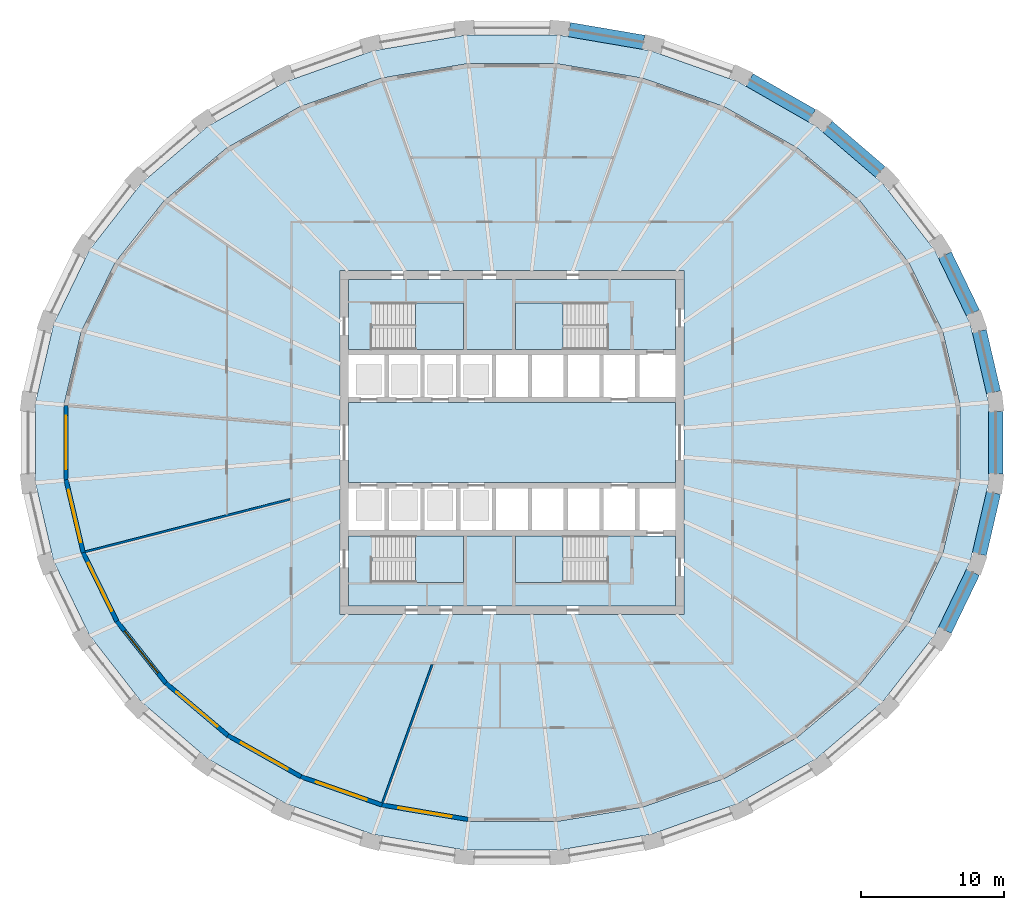
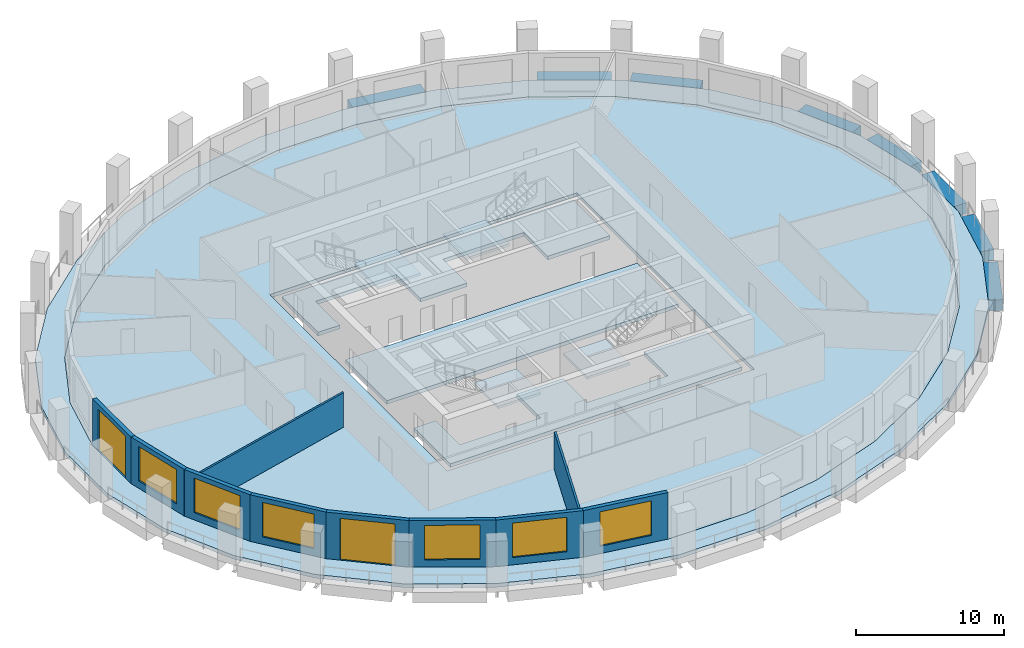
# One storey, part 2 of 10: 10 walls, 9 slabs, 8 beams, 6 windows, 2 doors, 8 openings, 4 elements without a shape of their own.
"""IFC4 building model written with IfcOpenShell, lengths in metres."""

from ifc_helpers import new_model, si_unit, direction, frame, frame_2d, origin, origin_2d, place, context, subcontext, project, spatial, polyline, rectangle, outline, extrude, material, layer, layer_set, material_profile, profile_set, type_object, element, fill, aggregate, save


model = new_model("IFC4")

# Units and contexts
model_context = context("Model", 3, precision=1e-05, world=origin(), true_north=direction((0.0, 1.0)))
body_context = subcontext(model_context, "Body", "Model", "MODEL_VIEW")
ifc_project = project(units=[si_unit("LENGTHUNIT", "METRE"), si_unit("AREAUNIT", "SQUARE_METRE"), si_unit("VOLUMEUNIT", "CUBIC_METRE"), si_unit("PLANEANGLEUNIT", "RADIAN"), si_unit("MASSUNIT", "GRAM", prefix="KILO")], contexts=[model_context])

# Site, building, storey
site_placement = place(None, origin())
site = spatial("IfcSite", under=ifc_project, at=site_placement, CompositionType="ELEMENT")
building_placement = place(site_placement, origin())
building = spatial("IfcBuilding", under=site, at=building_placement, Name="Halqa Exchange Tower", CompositionType="ELEMENT")
storey_placement = place(building_placement, frame((0.0, 0.0, 163.300048828125)))
storey = spatial("IfcBuildingStorey", under=building, at=storey_placement, Name="L37", CompositionType="ELEMENT", Elevation=163.300048828125)

# Beams
ifc_material_1 = material(Name="Concrete C60/75", Category="concrete")
ifc_material_profile = material_profile(ifc_material_1, rectangle(XDim=1.0, YDim=0.89990234375, at=origin_2d()), Name="1000 x 900")
ifc_profile_set = profile_set([ifc_material_profile], Name="Concrete C60/75")
beam_type = type_object("IfcBeamType", Name="RC spandrel beam 1000 x 900 C60/75", PredefinedType="SPANDREL", material=ifc_profile_set)
beam_1_placement = place(storey_placement, frame((33.60498046875, 3.508056640625, -0.449951171875), z_axis=(-0.226050480348, 0.974115588795, 0.0), x_axis=(-0.974115588795, -0.226050480348, 0.0)))
element("IfcBeam", 1, at=beam_1_placement, inside=storey, type_object=beam_type, Name="Spandrel 1", PredefinedType="SPANDREL", context=body_context, shape_type="SweptSolid", body=[
    extrude(rectangle(XDim=1.0, YDim=0.89990234375, at=origin_2d()), origin(), (0.0, 0.0, 1.0), 4.385986328125),
])
beam_2_placement = place(storey_placement, frame((32.166259765625, 9.048828125, -0.449951171875), z_axis=(-0.435099717308, 0.900382272148, 0.0), x_axis=(-0.900382272148, -0.435099717308, 0.0)))
element("IfcBeam", 2, at=beam_2_placement, inside=storey, type_object=beam_type, Name="Spandrel 2", PredefinedType="SPANDREL", context=body_context, shape_type="SweptSolid", body=[
    extrude(rectangle(XDim=1.0, YDim=0.89990234375, at=origin_2d()), origin(), (0.0, 0.0, 1.0), 4.497314453125),
])
beam_3_placement = place(storey_placement, frame((25.70849609375, 18.884521484375, -0.449951171875), z_axis=(-0.759260160399, 0.650787222394, 0.0), x_axis=(-0.650787222394, -0.759260160399, 0.0)))
element("IfcBeam", 3, at=beam_3_placement, inside=storey, type_object=beam_type, Name="Spandrel 4", PredefinedType="SPANDREL", context=body_context, shape_type="SweptSolid", body=[
    extrude(rectangle(XDim=1.0, YDim=0.89990234375, at=origin_2d()), origin(), (0.0, 0.0, 1.0), 4.843505859375),
])
beam_4_placement = place(storey_placement, frame((20.93359375, 22.810791015625, -0.449951171875), z_axis=(-0.867743165303, 0.497012876161, 0.0), x_axis=(-0.497012876161, -0.867743165303, 0.0)))
element("IfcBeam", 4, at=beam_4_placement, inside=storey, type_object=beam_type, Name="Spandrel 5", PredefinedType="SPANDREL", context=body_context, shape_type="SweptSolid", body=[
    extrude(rectangle(XDim=1.0, YDim=0.89990234375, at=origin_2d()), origin(), (0.0, 0.0, 1.0), 5.022705078125),
])
beam_5_placement = place(storey_placement, frame((9.1826171875, 27.936279296875, -0.449951171875), z_axis=(-0.985766792744, 0.168118500836, 0.0), x_axis=(-0.168118500836, -0.985766792744, 0.0)))
element("IfcBeam", 5, at=beam_5_placement, inside=storey, type_object=beam_type, Name="Spandrel 7", PredefinedType="SPANDREL", context=body_context, shape_type="SweptSolid", body=[
    extrude(rectangle(XDim=1.0, YDim=0.89990234375, at=origin_2d()), origin(), (0.0, 0.0, 1.0), 5.26708984375),
])
beam_6_placement = place(storey_placement, frame((30.20947265625, -13.09814453125, -0.449951171875), z_axis=(0.435099717308, 0.900382272148, 0.0), x_axis=(-0.900382272148, 0.435099717308, 0.0)))
element("IfcBeam", 6, at=beam_6_placement, inside=storey, type_object=beam_type, Name="Spandrel 30", PredefinedType="SPANDREL", context=body_context, shape_type="SweptSolid", body=[
    extrude(rectangle(XDim=1.0, YDim=0.89990234375, at=origin_2d()), origin(), (0.0, 0.0, 1.0), 4.497314453125),
])
beam_7_placement = place(storey_placement, frame((32.613525390625, -7.780517578125, -0.449951171875), z_axis=(0.226050480348, 0.974115588795, 0.0), x_axis=(-0.974115588795, 0.226050480348, 0.0)))
element("IfcBeam", 7, at=beam_7_placement, inside=storey, type_object=beam_type, Name="Spandrel 31", PredefinedType="SPANDREL", context=body_context, shape_type="SweptSolid", body=[
    extrude(rectangle(XDim=1.0, YDim=0.89990234375, at=origin_2d()), origin(), (0.0, 0.0, 1.0), 4.385986328125),
])
beam_8_placement = place(storey_placement, frame((33.7578125, -2.173828125, -0.449951171875), z_axis=(0.0, 1.0, 0.0), x_axis=(-1.0, 0.0, 0.0)))
element("IfcBeam", 8, at=beam_8_placement, inside=storey, type_object=beam_type, Name="Spandrel 32", PredefinedType="SPANDREL", context=body_context, shape_type="SweptSolid", body=[
    extrude(rectangle(XDim=1.0, YDim=0.89990234375, at=origin_2d()), origin(), (0.0, 0.0, 1.0), 4.34765625),
])

# Slabs
ifc_layer_1 = layer(ifc_material_1, 0.300048828125)
ifc_layer_set_1 = layer_set([ifc_layer_1], Name="Concrete C60/75")
slab_type_1 = type_object("IfcSlabType", Name="Core floor slab 300", PredefinedType="FLOOR", material=ifc_layer_set_1)
slab_1_placement = place(storey_placement, frame((0.0, 0.0, -0.300048828125)))
element("IfcSlab", 9, at=slab_1_placement, inside=storey, type_object=slab_type_1, Name="Core floor slab", PredefinedType="FLOOR", context=body_context, shape_type="SweptSolid", body=[
    extrude(outline(polyline([(-11.39990234375, 2.800048828125), (11.39990234375, 2.800048828125), (11.39990234375, -2.800048828125), (-11.39990234375, -2.800048828125), (-11.39990234375, 2.800048828125)])), origin(), (0.0, 0.0, 1.0), 0.300048828125),
])
slab_2_placement = place(storey_placement, frame((0.0, 0.0, -0.300048828125)))
element("IfcSlab", 10, at=slab_2_placement, inside=storey, type_object=slab_type_1, Name="Core floor slab", PredefinedType="FLOOR", context=body_context, shape_type="SweptSolid", body=[
    extrude(outline(polyline([(-11.39990234375, 11.39990234375), (11.39990234375, 11.39990234375), (11.39990234375, 6.5), (6.550048828125, 6.5), (6.550048828125, 9.75), (0.25, 9.75), (0.25, 6.5), (-3.39990234375, 6.5), (-3.39990234375, 9.75), (-9.699951171875, 9.75), (-9.699951171875, 6.5), (-11.39990234375, 6.5), (-11.39990234375, 11.39990234375)])), origin(), (0.0, 0.0, 1.0), 0.300048828125),
])
slab_3_placement = place(storey_placement, frame((0.0, 0.0, -0.300048828125)))
element("IfcSlab", 11, at=slab_3_placement, inside=storey, type_object=slab_type_1, Name="Core floor slab", PredefinedType="FLOOR", context=body_context, shape_type="SweptSolid", body=[
    extrude(outline(polyline([(-9.699951171875, -9.75), (-3.39990234375, -9.75), (-3.39990234375, -6.5), (0.25, -6.5), (0.25, -9.75), (6.550048828125, -9.75), (6.550048828125, -6.5), (11.39990234375, -6.5), (11.39990234375, -11.39990234375), (-11.39990234375, -11.39990234375), (-11.39990234375, -6.5), (-9.699951171875, -6.5), (-9.699951171875, -9.75)])), origin(), (0.0, 0.0, 1.0), 0.300048828125),
])
ifc_material_2 = material(Name="Concrete C40/50", Category="concrete")
ifc_layer_2 = layer(ifc_material_2, 0.300048828125)
ifc_layer_set_2 = layer_set([ifc_layer_2], Name="Concrete C40/50")
slab_type_2 = type_object("IfcSlabType", Name="RC floor slab 300", PredefinedType="FLOOR", material=ifc_layer_set_2)
slab_4_placement = place(storey_placement, frame((0.0, 0.0, -0.300048828125)))
element("IfcSlab", 12, at=slab_4_placement, inside=storey, type_object=slab_type_2, Name="Floor slab", PredefinedType="FLOOR", context=body_context, shape_type="SweptSolid", body=[
    extrude(outline(polyline([(31.271240234375, 2.6103515625), (30.065185546875, 7.72900390625), (27.70166015625, 12.547119140625), (24.2734375, 16.878662109375), (19.9150390625, 20.558349609375), (14.794677734375, 23.447021484375), (9.10888671875, 25.435302734375), (3.075439453125, 26.44873046875), (-3.075439453125, 26.44873046875), (-9.10888671875, 25.435302734375), (-14.794677734375, 23.447021484375), (-19.9150390625, 20.558349609375), (-24.2734375, 16.878662109375), (-27.70166015625, 12.547119140625), (-30.065185546875, 7.72900390625), (-31.271240234375, 2.6103515625), (-31.271240234375, -2.6103515625), (-30.065185546875, -7.72900390625), (-27.70166015625, -12.547119140625), (-24.2734375, -16.878662109375), (-19.9150390625, -20.558349609375), (-14.794677734375, -23.447021484375), (-9.10888671875, -25.435302734375), (-3.075439453125, -26.44873046875), (3.075439453125, -26.44873046875), (9.10888671875, -25.435302734375), (14.794677734375, -23.447021484375), (19.9150390625, -20.558349609375), (24.2734375, -16.878662109375), (27.70166015625, -12.547119140625), (30.065185546875, -7.72900390625), (31.271240234375, -2.6103515625), (31.271240234375, 2.6103515625)]), holes=[polyline([(-12.0, -12.0), (12.0, -12.0), (12.0, 12.0), (-12.0, 12.0), (-12.0, -12.0)])]), origin(), (0.0, 0.0, 1.0), 0.300048828125),
])
ifc_layer_3 = layer(ifc_material_2, 0.300048828125)
ifc_layer_set_3 = layer_set([ifc_layer_3], Name="Concrete C40/50")
slab_type_3 = type_object("IfcSlabType", Name="RC loggia slab 300", PredefinedType="FLOOR", material=ifc_layer_set_3)
slab_5_placement = place(storey_placement, frame((0.0, 0.0, -0.300048828125)))
element("IfcSlab", 13, at=slab_5_placement, inside=storey, type_object=slab_type_3, Name="Loggia slab", PredefinedType="FLOOR", context=body_context, shape_type="SweptSolid", body=[
    extrude(outline(polyline([(33.2578125, 2.79248046875), (33.2578125, -2.79248046875), (31.986083984375, -8.272705078125), (29.48876953125, -13.4404296875), (25.85791015625, -18.09814453125), (21.229736328125, -22.06494140625), (15.78076171875, -25.185791015625), (9.72021484375, -27.337646484375), (3.282470703125, -28.435302734375), (-3.282470703125, -28.435302734375), (-9.72021484375, -27.337646484375), (-15.78076171875, -25.185791015625), (-21.229736328125, -22.06494140625), (-25.85791015625, -18.09814453125), (-29.48876953125, -13.4404296875), (-31.986083984375, -8.272705078125), (-33.2578125, -2.79248046875), (-33.2578125, 2.79248046875), (-31.986083984375, 8.272705078125), (-29.48876953125, 13.4404296875), (-25.85791015625, 18.09814453125), (-21.229736328125, 22.06494140625), (-15.78076171875, 25.185791015625), (-9.72021484375, 27.337646484375), (-3.282470703125, 28.435302734375), (3.282470703125, 28.435302734375), (9.72021484375, 27.337646484375), (15.78076171875, 25.185791015625), (21.229736328125, 22.06494140625), (25.85791015625, 18.09814453125), (29.48876953125, 13.4404296875), (31.986083984375, 8.272705078125), (33.2578125, 2.79248046875)]), holes=[polyline([(31.271240234375, 2.6103515625), (30.065185546875, 7.72900390625), (27.70166015625, 12.547119140625), (24.2734375, 16.878662109375), (19.9150390625, 20.558349609375), (14.794677734375, 23.447021484375), (9.10888671875, 25.435302734375), (3.075439453125, 26.44873046875), (-3.075439453125, 26.44873046875), (-9.10888671875, 25.435302734375), (-14.794677734375, 23.447021484375), (-19.9150390625, 20.558349609375), (-24.2734375, 16.878662109375), (-27.70166015625, 12.547119140625), (-30.065185546875, 7.72900390625), (-31.271240234375, 2.6103515625), (-31.271240234375, -2.6103515625), (-30.065185546875, -7.72900390625), (-27.70166015625, -12.547119140625), (-24.2734375, -16.878662109375), (-19.9150390625, -20.558349609375), (-14.794677734375, -23.447021484375), (-9.10888671875, -25.435302734375), (-3.075439453125, -26.44873046875), (3.075439453125, -26.44873046875), (9.10888671875, -25.435302734375), (14.794677734375, -23.447021484375), (19.9150390625, -20.558349609375), (24.2734375, -16.878662109375), (27.70166015625, -12.547119140625), (30.065185546875, -7.72900390625), (31.271240234375, -2.6103515625), (31.271240234375, 2.6103515625)])]), origin(), (0.0, 0.0, 1.0), 0.300048828125),
])

# Stair, slab
ifc_material_3 = material(Name="Concrete C30/37", Category="concrete")
stair_type = type_object("IfcStairType", Name="Exit stair 1500 wide", PredefinedType="HALF_TURN_STAIR", material=ifc_material_3)
stair_1_placement = place(storey_placement, origin())
stair_1 = element("IfcStair", 14, at=stair_1_placement, inside=storey, type_object=stair_type, Name="Exit stair ST1", PredefinedType="HALF_TURN_STAIR")
ifc_layer_4 = layer(ifc_material_3, 0.199951171875)
ifc_layer_set_4 = layer_set([ifc_layer_4], Name="Concrete C30/37")
slab_type_4 = type_object("IfcSlabType", Name="Stair landing 200 slab", PredefinedType="LANDING", material=ifc_layer_set_4)
slab_6_placement = place(storey_placement, frame((0.0, 0.0, 1.89990234375)))
slab_6 = element("IfcSlab", 15, at=slab_6_placement, type_object=slab_type_4, Name="ST1 landing 1", PredefinedType="LANDING", context=body_context, shape_type="SweptSolid", body=[
    extrude(outline(polyline([(-6.719970703125, 6.5), (-3.39990234375, 6.5), (-3.39990234375, 9.75), (-6.719970703125, 9.75), (-6.719970703125, 6.5)])), origin(), (0.0, 0.0, 1.0), 0.199951171875),
])
aggregate(stair_1, [slab_6])

stair_2_placement = place(storey_placement, origin())
stair_2 = element("IfcStair", 16, at=stair_2_placement, inside=storey, type_object=stair_type, Name="Exit stair ST2", PredefinedType="HALF_TURN_STAIR")
slab_7_placement = place(storey_placement, frame((0.0, 0.0, 1.89990234375)))
slab_7 = element("IfcSlab", 17, at=slab_7_placement, type_object=slab_type_4, Name="ST2 landing 1", PredefinedType="LANDING", context=body_context, shape_type="SweptSolid", body=[
    extrude(outline(polyline([(0.25, 6.5), (3.570068359375, 6.5), (3.570068359375, 9.75), (0.25, 9.75), (0.25, 6.5)])), origin(), (0.0, 0.0, 1.0), 0.199951171875),
])
aggregate(stair_2, [slab_7])

stair_3_placement = place(storey_placement, origin())
stair_3 = element("IfcStair", 18, at=stair_3_placement, inside=storey, type_object=stair_type, Name="Exit stair ST3", PredefinedType="HALF_TURN_STAIR")
slab_8_placement = place(storey_placement, frame((0.0, 0.0, 1.89990234375)))
slab_8 = element("IfcSlab", 19, at=slab_8_placement, type_object=slab_type_4, Name="ST3 landing 1", PredefinedType="LANDING", context=body_context, shape_type="SweptSolid", body=[
    extrude(outline(polyline([(-6.719970703125, -9.75), (-3.39990234375, -9.75), (-3.39990234375, -6.5), (-6.719970703125, -6.5), (-6.719970703125, -9.75)])), origin(), (0.0, 0.0, 1.0), 0.199951171875),
])
aggregate(stair_3, [slab_8])

stair_4_placement = place(storey_placement, origin())
stair_4 = element("IfcStair", 20, at=stair_4_placement, inside=storey, type_object=stair_type, Name="Exit stair ST4", PredefinedType="HALF_TURN_STAIR")
slab_9_placement = place(storey_placement, frame((0.0, 0.0, 1.89990234375)))
slab_9 = element("IfcSlab", 21, at=slab_9_placement, type_object=slab_type_4, Name="ST4 landing 1", PredefinedType="LANDING", context=body_context, shape_type="SweptSolid", body=[
    extrude(outline(polyline([(0.25, -9.75), (3.570068359375, -9.75), (3.570068359375, -6.5), (0.25, -6.5), (0.25, -9.75)])), origin(), (0.0, 0.0, 1.0), 0.199951171875),
])
aggregate(stair_4, [slab_9])

# Walls
ifc_material_4 = material(Name="Fire-rated gypsum board")
ifc_layer_5 = layer(ifc_material_4, 0.14990234375)
ifc_layer_set_5 = layer_set([ifc_layer_5], Name="Fire-rated gypsum board")
wall_type_1 = type_object("IfcWallType", Name="Fire partition EI 60 150", PredefinedType="PARTITIONING", material=ifc_layer_set_5)
wall_1_placement = place(storey_placement, frame((-29.780517578125, -7.623291015625, 0.0), z_axis=(0.0, 0.0, 1.0), x_axis=(0.968729735343, 0.248118318272, 0.0)))
element("IfcWall", 22, at=wall_1_placement, inside=storey, type_object=wall_type_1, Name="L37-PWL-002", PredefinedType="PARTITIONING", context=body_context, shape_type="SweptSolid", body=[
    extrude(outline(polyline([(0.013427734375, -0.074951171875), (1.855224609375, -0.074951171875), (3.697021484375, -0.074951171875), (5.538818359375, -0.074951171875), (7.380615234375, -0.074951171875), (9.22265625, -0.074951171875), (11.064453125, -0.074951171875), (12.90625, -0.074951171875), (14.748046875, -0.074951171875), (14.7861328125, 0.073486328125), (14.7861328125, 0.074951171875), (13.28076171875, 0.074951171875), (11.775634765625, 0.074951171875), (10.270263671875, 0.074951171875), (10.270263671875, 0.074951171875), (10.27001953125, 0.074951171875), (8.558349609375, 0.074951171875), (6.8466796875, 0.074951171875), (5.135009765625, 0.074951171875), (3.42333984375, 0.074951171875), (1.711669921875, 0.074951171875), (0.0, 0.074951171875), (0.0, 0.070556640625), (0.0, -0.0107421875), (0.013427734375, -0.074951171875)])), origin(), (0.0, 0.0, 1.0), 2.849853515625),
])
wall_2_placement = place(storey_placement, frame((-9.036865234375, -25.143310546875, 0.0), z_axis=(0.0, 0.0, 1.0), x_axis=(0.338668278724, 0.940905838533, 0.0)))
element("IfcWall", 23, at=wall_2_placement, inside=storey, type_object=wall_type_1, Name="L37-PWL-010", PredefinedType="PARTITIONING", context=body_context, shape_type="SweptSolid", body=[
    extrude(outline(polyline([(0.013671875, -0.074951171875), (1.892822265625, -0.074951171875), (3.77197265625, -0.074951171875), (5.651123046875, -0.074951171875), (5.652587890625, -0.074462890625), (5.65283203125, -0.074951171875), (7.20263671875, -0.074951171875), (8.75244140625, -0.074951171875), (10.30224609375, -0.074951171875), (10.30224609375, -0.07421875), (10.30029296875, -0.068603515625), (10.30029296875, -0.068603515625), (10.24853515625, 0.074951171875), (8.54052734375, 0.074951171875), (6.832275390625, 0.074951171875), (5.124267578125, 0.074951171875), (3.416259765625, 0.074951171875), (1.7080078125, 0.074951171875), (0.0, 0.074951171875), (0.0, 0.054443359375), (0.00048828125, -0.0029296875), (0.013671875, -0.074951171875)])), origin(), (0.0, 0.0, 1.0), 3.079833984375),
])

# Wall, opening, door
ifc_material_5 = material(Name="Limestone cladding", Category="masonry")
ifc_layer_6 = layer(ifc_material_5, 0.0400390625)
ifc_material_6 = material(Name="Ventilated cavity")
ifc_layer_7 = layer(ifc_material_6, 0.030029296875, ventilated=True)
ifc_material_7 = material(Name="Mineral wool insulation")
ifc_layer_8 = layer(ifc_material_7, 0.10009765625)
ifc_layer_9 = layer(ifc_material_3, 0.10009765625)
ifc_material_8 = material(Name="Internal plaster")
ifc_layer_10 = layer(ifc_material_8, 0.030029296875)
ifc_layer_set_6 = layer_set([ifc_layer_6, ifc_layer_7, ifc_layer_8, ifc_layer_9, ifc_layer_10], Name="Stone-faced insulated wall 300")
wall_type_2 = type_object("IfcWallType", Name="Stone-faced insulated wall 300", PredefinedType="STANDARD", material=ifc_layer_set_6)
wall_3_placement = place(storey_placement, frame((-31.12109375, 2.5927734375, 0.0), z_axis=(0.0, 0.0, 1.0), x_axis=(0.0, -1.0, 0.0)))
wall_3 = element("IfcWall", 24, at=wall_3_placement, inside=storey, type_object=wall_type_2, Name="Glass-line wall 16", PredefinedType="STANDARD", context=body_context, shape_type="SweptSolid", body=[
    extrude(outline(polyline([(-0.017333984375, -0.14990234375), (5.202880859375, -0.14990234375), (5.168212890625, 0.14990234375), (0.017333984375, 0.14990234375), (-0.017333984375, -0.14990234375)])), origin(), (0.0, 0.0, 1.0), 3.849853515625),
])
opening_1_placement = place(wall_3_placement, frame((0.7177734375, 0.0, 0.0)))
opening_1 = element("IfcOpeningElement", 25, at=opening_1_placement, cuts=wall_3, Name="Opening LG-F2-04", PredefinedType="OPENING", context=body_context, shape_type="SweptSolid", body=[
    extrude(rectangle(XDim=3.75, YDim=3.449951171875, at=frame_2d((1.875, 1.72509765625))), frame((0.0, 0.162109375, 0.0), z_axis=(0.0, -1.0, 0.0), x_axis=(1.0, 0.0, 0.0)), (0.0, 0.0, 1.0), 0.323974609375),
])
ifc_material_9 = material(Name="Clear low-emissivity glass in aluminium frame", Category="aluminium")
door_type = type_object("IfcDoorType", Name="Glazed sliding loggia door 3750 x 3450", OperationType="DOUBLE_DOOR_SLIDING", PredefinedType="DOOR", material=ifc_material_9)
door_1_placement = place(opening_1_placement, origin())
door_1 = element("IfcDoor", 26, at=door_1_placement, inside=storey, type_object=door_type, Name="Loggia door 4", OperationType="DOUBLE_DOOR_SLIDING", OverallHeight=3.449951171875, OverallWidth=3.75, PredefinedType="DOOR", context=body_context, shape_type="SweptSolid", body=[
    extrude(rectangle(XDim=3.75, YDim=3.449951171875, at=frame_2d((1.875, 1.72509765625))), frame((0.0, 0.02490234375, 0.0), z_axis=(0.0, -1.0, 0.0), x_axis=(1.0, 0.0, 0.0)), (0.0, 0.0, 1.0), 0.050048828125),
])
fill(opening_1, door_1)

# Wall, opening, window
wall_4_placement = place(storey_placement, frame((-31.12109375, -2.5927734375, 0.0), z_axis=(0.0, 0.0, 1.0), x_axis=(0.229297175564, -0.973356463624, 0.0)))
wall_4 = element("IfcWall", 27, at=wall_4_placement, inside=storey, type_object=wall_type_2, Name="Glass-line wall 17", PredefinedType="STANDARD", context=body_context, shape_type="SweptSolid", body=[
    extrude(outline(polyline([(-0.017333984375, -0.14990234375), (5.241455078125, -0.14990234375), (5.207763671875, 0.14990234375), (0.017333984375, 0.14990234375), (-0.017333984375, -0.14990234375)])), origin(), (0.0, 0.0, 1.0), 3.849853515625),
])
opening_2_placement = place(wall_4_placement, frame((0.7373046875, 0.0, 0.60009765625)))
opening_2 = element("IfcOpeningElement", 28, at=opening_2_placement, cuts=wall_4, Name="Opening W-F2-17", PredefinedType="OPENING", context=body_context, shape_type="SweptSolid", body=[
    extrude(rectangle(XDim=3.75, YDim=2.85009765625, at=frame_2d((1.875, 1.425048828125))), frame((0.0, 0.162109375, 0.0), z_axis=(0.0, -1.0, 0.0), x_axis=(1.0, 0.0, 0.0)), (0.0, 0.0, 1.0), 0.323974609375),
])
window_type = type_object("IfcWindowType", Name="Fixed clear glazed window 3750 x 2850", PartitioningType="TRIPLE_PANEL_VERTICAL", PredefinedType="WINDOW", material=ifc_material_9)
window_1_placement = place(opening_2_placement, origin())
window_1 = element("IfcWindow", 29, at=window_1_placement, inside=storey, type_object=window_type, Name="Window 2", OverallHeight=2.85009765625, OverallWidth=3.75, PartitioningType="TRIPLE_PANEL_VERTICAL", PredefinedType="WINDOW", context=body_context, shape_type="SweptSolid", body=[
    extrude(rectangle(XDim=3.75, YDim=2.85009765625, at=frame_2d((1.875, 1.425048828125))), frame((0.0, 0.030029296875, 0.0), z_axis=(0.0, -1.0, 0.0), x_axis=(1.0, 0.0, 0.0)), (0.0, 0.0, 1.0), 0.06005859375),
])
fill(opening_2, window_1)

wall_5_placement = place(storey_placement, frame((-29.923095703125, -7.67822265625, 0.0), z_axis=(0.0, 0.0, 1.0), x_axis=(0.440444485575, -0.897779847806, 0.0)))
wall_5 = element("IfcWall", 30, at=wall_5_placement, inside=storey, type_object=wall_type_2, Name="Glass-line wall 18", PredefinedType="STANDARD", context=body_context, shape_type="SweptSolid", body=[
    extrude(outline(polyline([(-0.016845703125, -0.14990234375), (5.349609375, -0.14990234375), (5.3173828125, 0.14990234375), (0.016845703125, 0.14990234375), (-0.016845703125, -0.14990234375)])), origin(), (0.0, 0.0, 1.0), 3.849853515625),
])
opening_3_placement = place(wall_5_placement, frame((0.791748046875, 0.0, 0.60009765625)))
opening_3 = element("IfcOpeningElement", 31, at=opening_3_placement, cuts=wall_5, Name="Opening W-F2-18", PredefinedType="OPENING", context=body_context, shape_type="SweptSolid", body=[
    extrude(rectangle(XDim=3.75, YDim=2.85009765625, at=frame_2d((1.875, 1.425048828125))), frame((0.0, 0.162109375, 0.0), z_axis=(0.0, -1.0, 0.0), x_axis=(1.0, 0.0, 0.0)), (0.0, 0.0, 1.0), 0.323974609375),
])
window_2_placement = place(opening_3_placement, origin())
window_2 = element("IfcWindow", 32, at=window_2_placement, inside=storey, type_object=window_type, Name="Window 2", OverallHeight=2.85009765625, OverallWidth=3.75, PartitioningType="TRIPLE_PANEL_VERTICAL", PredefinedType="WINDOW", context=body_context, shape_type="SweptSolid", body=[
    extrude(rectangle(XDim=3.75, YDim=2.85009765625, at=frame_2d((1.875, 1.425048828125))), frame((0.0, 0.030029296875, 0.0), z_axis=(0.0, -1.0, 0.0), x_axis=(1.0, 0.0, 0.0)), (0.0, 0.0, 1.0), 0.06005859375),
])
fill(opening_3, window_2)

wall_6_placement = place(storey_placement, frame((-27.573974609375, -12.466552734375, 0.0), z_axis=(0.0, 0.0, 1.0), x_axis=(0.620577705153, -0.784144955902, 0.0)))
wall_6 = element("IfcWall", 33, at=wall_6_placement, inside=storey, type_object=wall_type_2, Name="Glass-line wall 19", PredefinedType="STANDARD", context=body_context, shape_type="SweptSolid", body=[
    extrude(outline(polyline([(-0.01611328125, -0.14990234375), (5.5078125, -0.14990234375), (5.4775390625, 0.14990234375), (0.01611328125, 0.14990234375), (-0.01611328125, -0.14990234375)])), origin(), (0.0, 0.0, 1.0), 3.849853515625),
])
opening_4_placement = place(wall_6_placement, frame((0.871337890625, 0.0, 0.60009765625)))
opening_4 = element("IfcOpeningElement", 34, at=opening_4_placement, cuts=wall_6, Name="Opening W-F2-19", PredefinedType="OPENING", context=body_context, shape_type="SweptSolid", body=[
    extrude(rectangle(XDim=3.75, YDim=2.85009765625, at=frame_2d((1.875, 1.425048828125))), frame((0.0, 0.162109375, 0.0), z_axis=(0.0, -1.0, 0.0), x_axis=(1.0, 0.0, 0.0)), (0.0, 0.0, 1.0), 0.323974609375),
])
window_3_placement = place(opening_4_placement, origin())
window_3 = element("IfcWindow", 35, at=window_3_placement, inside=storey, type_object=window_type, Name="Window 2", OverallHeight=2.85009765625, OverallWidth=3.75, PartitioningType="TRIPLE_PANEL_VERTICAL", PredefinedType="WINDOW", context=body_context, shape_type="SweptSolid", body=[
    extrude(rectangle(XDim=3.75, YDim=2.85009765625, at=frame_2d((1.875, 1.425048828125))), frame((0.0, 0.030029296875, 0.0), z_axis=(0.0, -1.0, 0.0), x_axis=(1.0, 0.0, 0.0)), (0.0, 0.0, 1.0), 0.06005859375),
])
fill(opening_4, window_3)

# Wall, opening, door
wall_7_placement = place(storey_placement, frame((-24.165283203125, -16.773681640625, 0.0), z_axis=(0.0, 0.0, 1.0), x_axis=(0.764076096085, -0.645126126732, 0.0)))
wall_7 = element("IfcWall", 36, at=wall_7_placement, inside=storey, type_object=wall_type_2, Name="Glass-line wall 20", PredefinedType="STANDARD", context=body_context, shape_type="SweptSolid", body=[
    extrude(outline(polyline([(-0.01513671875, -0.14990234375), (5.689208984375, -0.14990234375), (5.660888671875, 0.14990234375), (0.01513671875, 0.14990234375), (-0.01513671875, -0.14990234375)])), origin(), (0.0, 0.0, 1.0), 3.849853515625),
])
opening_5_placement = place(wall_7_placement, frame((0.96240234375, 0.0, 0.0)))
opening_5 = element("IfcOpeningElement", 37, at=opening_5_placement, cuts=wall_7, Name="Opening LG-F2-05", PredefinedType="OPENING", context=body_context, shape_type="SweptSolid", body=[
    extrude(rectangle(XDim=3.75, YDim=3.449951171875, at=frame_2d((1.875, 1.72509765625))), frame((0.0, 0.162109375, 0.0), z_axis=(0.0, -1.0, 0.0), x_axis=(1.0, 0.0, 0.0)), (0.0, 0.0, 1.0), 0.323974609375),
])
door_2_placement = place(opening_5_placement, origin())
door_2 = element("IfcDoor", 38, at=door_2_placement, inside=storey, type_object=door_type, Name="Loggia door 5", OperationType="DOUBLE_DOOR_SLIDING", OverallHeight=3.449951171875, OverallWidth=3.75, PredefinedType="DOOR", context=body_context, shape_type="SweptSolid", body=[
    extrude(rectangle(XDim=3.75, YDim=3.449951171875, at=frame_2d((1.875, 1.72509765625))), frame((0.0, 0.02490234375, 0.0), z_axis=(0.0, -1.0, 0.0), x_axis=(1.0, 0.0, 0.0)), (0.0, 0.0, 1.0), 0.050048828125),
])
fill(opening_5, door_2)

# Wall, opening, window
wall_8_placement = place(storey_placement, frame((-19.8291015625, -20.434814453125, 0.0), z_axis=(0.0, 0.0, 1.0), x_axis=(0.870982130072, -0.491314694565, 0.0)))
wall_8 = element("IfcWall", 39, at=wall_8_placement, inside=storey, type_object=wall_type_2, Name="Glass-line wall 21", PredefinedType="STANDARD", context=body_context, shape_type="SweptSolid", body=[
    extrude(outline(polyline([(-0.01416015625, -0.14990234375), (5.864990234375, -0.14990234375), (5.838134765625, 0.14990234375), (0.01416015625, 0.14990234375), (-0.01416015625, -0.14990234375)])), origin(), (0.0, 0.0, 1.0), 3.849853515625),
])
opening_6_placement = place(wall_8_placement, frame((1.05078125, 0.0, 0.60009765625)))
opening_6 = element("IfcOpeningElement", 40, at=opening_6_placement, cuts=wall_8, Name="Opening W-F2-21", PredefinedType="OPENING", context=body_context, shape_type="SweptSolid", body=[
    extrude(rectangle(XDim=3.75, YDim=2.85009765625, at=frame_2d((1.875, 1.425048828125))), frame((0.0, 0.162109375, 0.0), z_axis=(0.0, -1.0, 0.0), x_axis=(1.0, 0.0, 0.0)), (0.0, 0.0, 1.0), 0.323974609375),
])
window_4_placement = place(opening_6_placement, origin())
window_4 = element("IfcWindow", 41, at=window_4_placement, inside=storey, type_object=window_type, Name="Window 2", OverallHeight=2.85009765625, OverallWidth=3.75, PartitioningType="TRIPLE_PANEL_VERTICAL", PredefinedType="WINDOW", context=body_context, shape_type="SweptSolid", body=[
    extrude(rectangle(XDim=3.75, YDim=2.85009765625, at=frame_2d((1.875, 1.425048828125))), frame((0.0, 0.030029296875, 0.0), z_axis=(0.0, -1.0, 0.0), x_axis=(1.0, 0.0, 0.0)), (0.0, 0.0, 1.0), 0.06005859375),
])
fill(opening_6, window_4)

wall_9_placement = place(storey_placement, frame((-14.732421875, -23.309814453125, 0.0), z_axis=(0.0, 0.0, 1.0), x_axis=(0.943944636678, -0.330103806228, 0.0)))
wall_9 = element("IfcWall", 42, at=wall_9_placement, inside=storey, type_object=wall_type_2, Name="Glass-line wall 22", PredefinedType="STANDARD", context=body_context, shape_type="SweptSolid", body=[
    extrude(outline(polyline([(-0.013427734375, -0.14990234375), (6.010009765625, -0.14990234375), (5.984619140625, 0.14990234375), (0.013427734375, 0.14990234375), (-0.013427734375, -0.14990234375)])), origin(), (0.0, 0.0, 1.0), 3.849853515625),
])
opening_7_placement = place(wall_9_placement, frame((1.12353515625, 0.0, 0.60009765625)))
opening_7 = element("IfcOpeningElement", 43, at=opening_7_placement, cuts=wall_9, Name="Opening W-F2-22", PredefinedType="OPENING", context=body_context, shape_type="SweptSolid", body=[
    extrude(rectangle(XDim=3.75, YDim=2.85009765625, at=frame_2d((1.875, 1.425048828125))), frame((0.0, 0.162109375, 0.0), z_axis=(0.0, -1.0, 0.0), x_axis=(1.0, 0.0, 0.0)), (0.0, 0.0, 1.0), 0.323974609375),
])
window_5_placement = place(opening_7_placement, origin())
window_5 = element("IfcWindow", 44, at=window_5_placement, inside=storey, type_object=window_type, Name="Window 2", OverallHeight=2.85009765625, OverallWidth=3.75, PartitioningType="TRIPLE_PANEL_VERTICAL", PredefinedType="WINDOW", context=body_context, shape_type="SweptSolid", body=[
    extrude(rectangle(XDim=3.75, YDim=2.85009765625, at=frame_2d((1.875, 1.425048828125))), frame((0.0, 0.030029296875, 0.0), z_axis=(0.0, -1.0, 0.0), x_axis=(1.0, 0.0, 0.0)), (0.0, 0.0, 1.0), 0.06005859375),
])
fill(opening_7, window_5)

wall_10_placement = place(storey_placement, frame((-9.0712890625, -25.28955078125, 0.0), z_axis=(0.0, 0.0, 1.0), x_axis=(0.98618955457, -0.165620537547, 0.0)))
wall_10 = element("IfcWall", 45, at=wall_10_placement, inside=storey, type_object=wall_type_2, Name="Glass-line wall 23", PredefinedType="STANDARD", context=body_context, shape_type="SweptSolid", body=[
    extrude(outline(polyline([(-0.0126953125, -0.14990234375), (6.10498046875, -0.14990234375), (6.080078125, 0.14990234375), (0.0126953125, 0.14990234375), (-0.0126953125, -0.14990234375)])), origin(), (0.0, 0.0, 1.0), 3.849853515625),
])
opening_8_placement = place(wall_10_placement, frame((1.17138671875, 0.0, 0.60009765625)))
opening_8 = element("IfcOpeningElement", 46, at=opening_8_placement, cuts=wall_10, Name="Opening W-F2-23", PredefinedType="OPENING", context=body_context, shape_type="SweptSolid", body=[
    extrude(rectangle(XDim=3.75, YDim=2.85009765625, at=frame_2d((1.875, 1.425048828125))), frame((0.0, 0.162109375, 0.0), z_axis=(0.0, -1.0, 0.0), x_axis=(1.0, 0.0, 0.0)), (0.0, 0.0, 1.0), 0.323974609375),
])
window_6_placement = place(opening_8_placement, origin())
window_6 = element("IfcWindow", 47, at=window_6_placement, inside=storey, type_object=window_type, Name="Window 2", OverallHeight=2.85009765625, OverallWidth=3.75, PartitioningType="TRIPLE_PANEL_VERTICAL", PredefinedType="WINDOW", context=body_context, shape_type="SweptSolid", body=[
    extrude(rectangle(XDim=3.75, YDim=2.85009765625, at=frame_2d((1.875, 1.425048828125))), frame((0.0, 0.030029296875, 0.0), z_axis=(0.0, -1.0, 0.0), x_axis=(1.0, 0.0, 0.0)), (0.0, 0.0, 1.0), 0.06005859375),
])
fill(opening_8, window_6)

save(model, "model.ifc")
